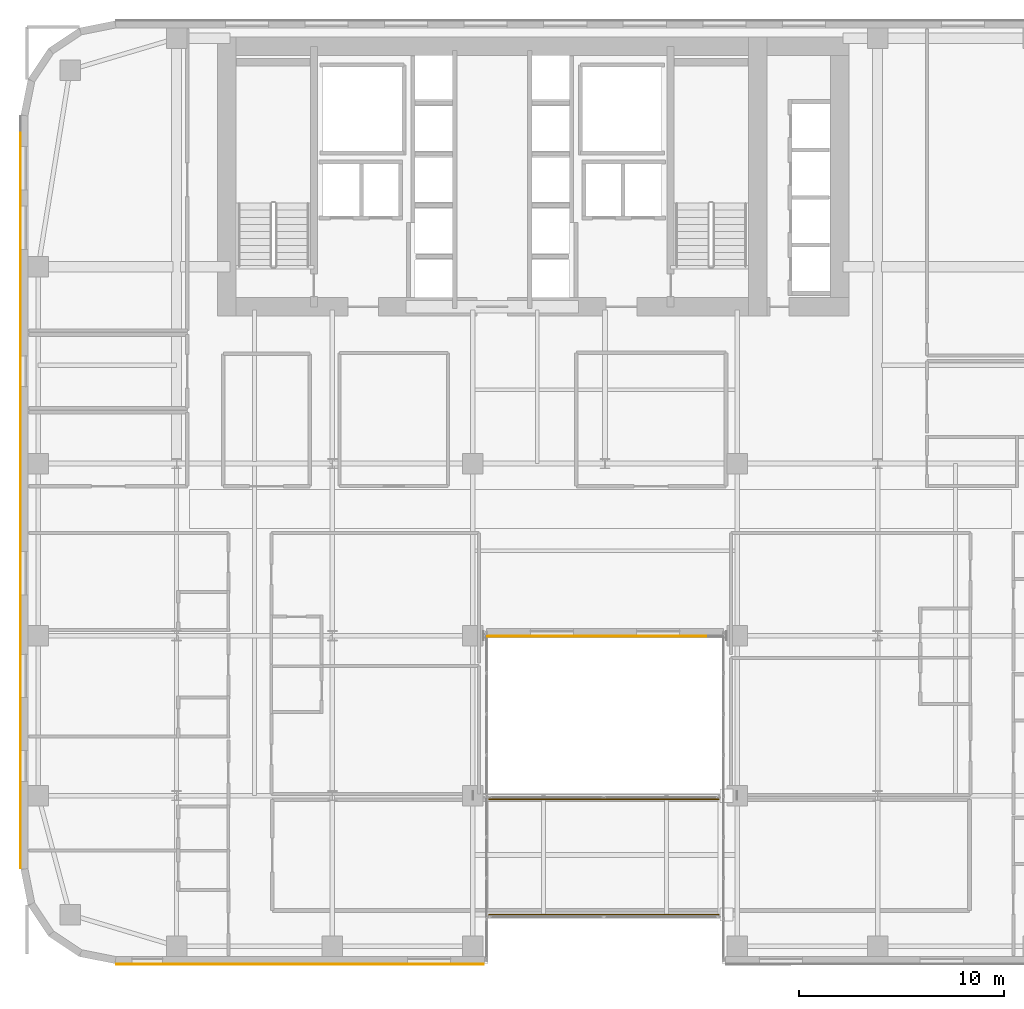
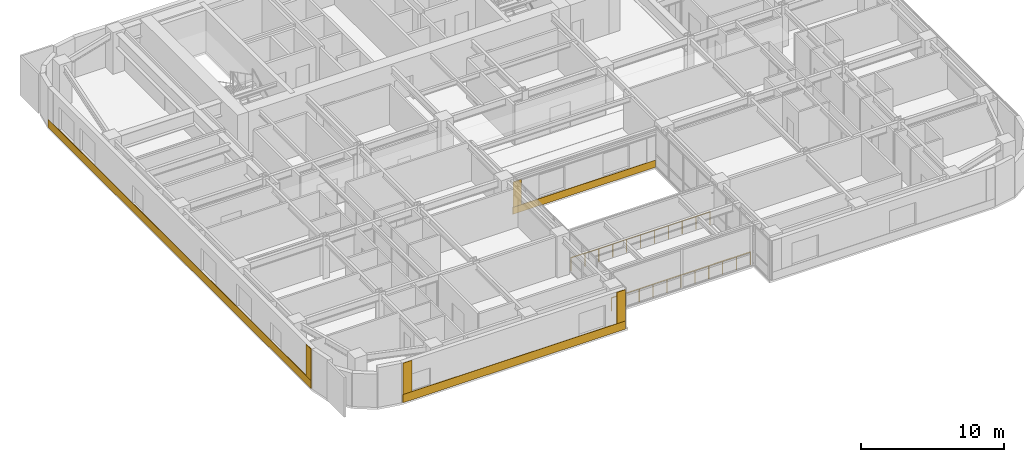
# One storey, part 27 of 31: 7 coverings, 2 railings.
"""IFC4 building model written with IfcOpenShell, lengths in metres."""

from ifc_helpers import new_model, si_unit, direction, frame, origin, origin_2d, place, context, subcontext, project, spatial, polyline, circle, outline, extrude, material, layer, layer_set, type_object, element, save


model = new_model("IFC4")

# Units and contexts
model_context = context("Model", 3, precision=1e-05, world=origin(), true_north=direction((0.0, 1.0)))
body_context = subcontext(model_context, "Body", "Model", "MODEL_VIEW")
ifc_project = project(units=[si_unit("LENGTHUNIT", "METRE"), si_unit("AREAUNIT", "SQUARE_METRE"), si_unit("VOLUMEUNIT", "CUBIC_METRE"), si_unit("PLANEANGLEUNIT", "RADIAN"), si_unit("MASSUNIT", "GRAM", prefix="KILO")], contexts=[model_context])

# Site, building, storey
site_placement = place(None, origin())
site = spatial("IfcSite", under=ifc_project, at=site_placement, CompositionType="ELEMENT")
building_placement = place(site_placement, origin())
building = spatial("IfcBuilding", under=site, at=building_placement, Name="Tolvann Quenvar Hotel", CompositionType="ELEMENT")
storey_placement = place(building_placement, frame((0.0, 0.0, 74.60009765625)))
storey = spatial("IfcBuildingStorey", under=building, at=storey_placement, Name="L18", CompositionType="ELEMENT", Elevation=74.60009765625)

# Coverings
ifc_material_1 = material(Name="Kiln-fired red architectural face brick cladding", Category="masonry")
ifc_layer_1 = layer(ifc_material_1, 0.0400390625)
ifc_layer_set_1 = layer_set([ifc_layer_1], Name="Kiln-fired red architectural face brick cladding")
covering_type_1 = type_object("IfcCoveringType", Name="COV_CLAD_BRICK_40", PredefinedType="CLADDING", material=ifc_layer_set_1)
covering_1_placement = place(storey_placement, frame((0.0, 0.0, 0.699951171875)))
element("IfcCovering", 1, at=covering_1_placement, inside=storey, type_object=covering_type_1, Name="Brick Pier Cladding (L18-E04-P1)", PredefinedType="CLADDING", context=body_context, shape_type="SweptSolid", body=[
    extrude(outline(polyline([(4.667236328125, 0.0), (5.3671875, 0.0), (5.3671875, -0.0400390625), (4.667236328125, -0.0400390625), (4.667236328125, 0.0)])), origin(), (0.0, 0.0, 1.0), 2.669921875),
])
covering_2_placement = place(storey_placement, frame((0.0, 0.0, 0.699951171875)))
element("IfcCovering", 2, at=covering_2_placement, inside=storey, type_object=covering_type_1, Name="Brick Pier Cladding (L18-E04-P2)", PredefinedType="CLADDING", context=body_context, shape_type="SweptSolid", body=[
    extrude(outline(polyline([(21.875, 0.0), (22.574951171875, 0.0), (22.574951171875, -0.0400390625), (21.875, -0.0400390625), (21.875, 0.0)])), origin(), (0.0, 0.0, 1.0), 2.669921875),
])
covering_3_placement = place(storey_placement, frame((0.0, 0.0, 0.6044921875)))
element("IfcCovering", 3, at=covering_3_placement, inside=storey, type_object=covering_type_1, Name="Brick Pier Cladding (L18-E06-P1)", PredefinedType="CLADDING", context=body_context, shape_type="SweptSolid", body=[
    extrude(outline(polyline([(22.760009765625, 16.0), (23.4599609375, 16.0), (23.4599609375, 15.9599609375), (22.760009765625, 15.9599609375), (22.760009765625, 16.0)])), origin(), (0.0, 0.0, 1.0), 2.143310546875),
])
covering_4_placement = place(storey_placement, frame((0.0, 0.0, 0.699951171875)))
element("IfcCovering", 4, at=covering_4_placement, inside=storey, type_object=covering_type_1, Name="Brick Pier Cladding (L18-E23-P2)", PredefinedType="CLADDING", context=body_context, shape_type="SweptSolid", body=[
    extrude(outline(polyline([(0.0, 5.3671875), (0.0, 4.667236328125), (-0.0400390625, 4.667236328125), (-0.0400390625, 5.3671875), (0.0, 5.3671875)])), origin(), (0.0, 0.0, 1.0), 2.669921875),
])
ifc_material_2 = material(Name="Moulded buff architectural terracotta spandrel cladding", Category="masonry")
ifc_layer_2 = layer(ifc_material_2, 0.0400390625)
ifc_layer_set_2 = layer_set([ifc_layer_2], Name="Moulded buff architectural terracotta spandrel cladding")
covering_type_2 = type_object("IfcCoveringType", Name="COV_CLAD_TERRA_40", PredefinedType="CLADDING", material=ifc_layer_set_2)
covering_5_placement = place(storey_placement, origin())
element("IfcCovering", 5, at=covering_5_placement, inside=storey, type_object=covering_type_2, Name="Terracotta Spandrel Cladding (L18-E04)", PredefinedType="CLADDING", context=body_context, shape_type="SweptSolid", body=[
    extrude(outline(polyline([(4.6572265625, 0.0), (22.5849609375, 0.0), (22.5849609375, -0.0400390625), (4.6572265625, -0.0400390625), (4.6572265625, 0.0)])), origin(), (0.0, 0.0, 1.0), 0.699951171875),
])
covering_6_placement = place(storey_placement, origin())
element("IfcCovering", 6, at=covering_6_placement, inside=storey, type_object=covering_type_2, Name="Terracotta Spandrel Cladding (L18-E06)", PredefinedType="CLADDING", context=body_context, shape_type="SweptSolid", body=[
    extrude(outline(polyline([(22.75, 16.0), (34.25, 16.0), (34.25, 15.9599609375), (22.75, 15.9599609375), (22.75, 16.0)])), origin(), (0.0, 0.0, 1.0), 0.6044921875),
])
covering_7_placement = place(storey_placement, origin())
element("IfcCovering", 7, at=covering_7_placement, inside=storey, type_object=covering_type_2, Name="Terracotta Spandrel Cladding (L18-E23)", PredefinedType="CLADDING", context=body_context, shape_type="SweptSolid", body=[
    extrude(outline(polyline([(0.0, 41.3427734375), (0.0, 4.6572265625), (-0.0400390625, 4.6572265625), (-0.0400390625, 41.3427734375), (0.0, 41.3427734375)])), origin(), (0.0, 0.0, 1.0), 0.699951171875),
])

# Railings
ifc_material_3 = material(Name="Brushed 316 marine-grade stainless steel balustrade and laminated safety glass", Category="steel")
railing_type = type_object("IfcRailingType", Name="RAIL_BAL_1100", PredefinedType="BALUSTRADE", material=ifc_material_3)
for number, where, name in (
    (8, (22.840087890625, 2.3798828125, 0.0), "Safety Balustrade BAL-BRG-L18-S"),
    (9, (22.840087890625, 8.02001953125, 0.0), "Safety Balustrade BAL-BRG-L18-N"),
):
    element("IfcRailing", number, at=place(storey_placement, frame(where)), inside=storey, type_object=railing_type, Name=name, PredefinedType="BALUSTRADE", context=body_context, shape_type="SweptSolid", body=[
        extrude(circle(Radius=0.02490234375, at=origin_2d()), frame((0.0, 0.0, 1.09521484375), z_axis=(1.0, 0.0, 0.0), x_axis=(0.0, 1.0, 0.0)), (0.0, 0.0, 1.0), 11.199951171875),
        extrude(circle(Radius=0.02197265625, at=origin_2d()), origin(), (0.0, 0.0, 1.0), 1.070068359375),
        extrude(circle(Radius=0.02197265625, at=origin_2d()), frame((1.1201171875, 0.0, 0.0)), (0.0, 0.0, 1.0), 1.070068359375),
        extrude(circle(Radius=0.02197265625, at=origin_2d()), frame((2.239990234375, 0.0, 0.0)), (0.0, 0.0, 1.0), 1.070068359375),
        extrude(circle(Radius=0.02197265625, at=origin_2d()), frame((3.35986328125, 0.0, 0.0)), (0.0, 0.0, 1.0), 1.070068359375),
        extrude(circle(Radius=0.02197265625, at=origin_2d()), frame((4.47998046875, 0.0, 0.0)), (0.0, 0.0, 1.0), 1.070068359375),
        extrude(circle(Radius=0.02197265625, at=origin_2d()), frame((5.60009765625, 0.0, 0.0)), (0.0, 0.0, 1.0), 1.070068359375),
        extrude(circle(Radius=0.02197265625, at=origin_2d()), frame((6.719970703125, 0.0, 0.0)), (0.0, 0.0, 1.0), 1.070068359375),
        extrude(circle(Radius=0.02197265625, at=origin_2d()), frame((7.83984375, 0.0, 0.0)), (0.0, 0.0, 1.0), 1.070068359375),
        extrude(circle(Radius=0.02197265625, at=origin_2d()), frame((8.9599609375, 0.0, 0.0)), (0.0, 0.0, 1.0), 1.070068359375),
        extrude(circle(Radius=0.02197265625, at=origin_2d()), frame((10.080078125, 0.0, 0.0)), (0.0, 0.0, 1.0), 1.070068359375),
        extrude(circle(Radius=0.02197265625, at=origin_2d()), frame((11.199951171875, 0.0, 0.0)), (0.0, 0.0, 1.0), 1.070068359375),
    ])

save(model, "model.ifc")
